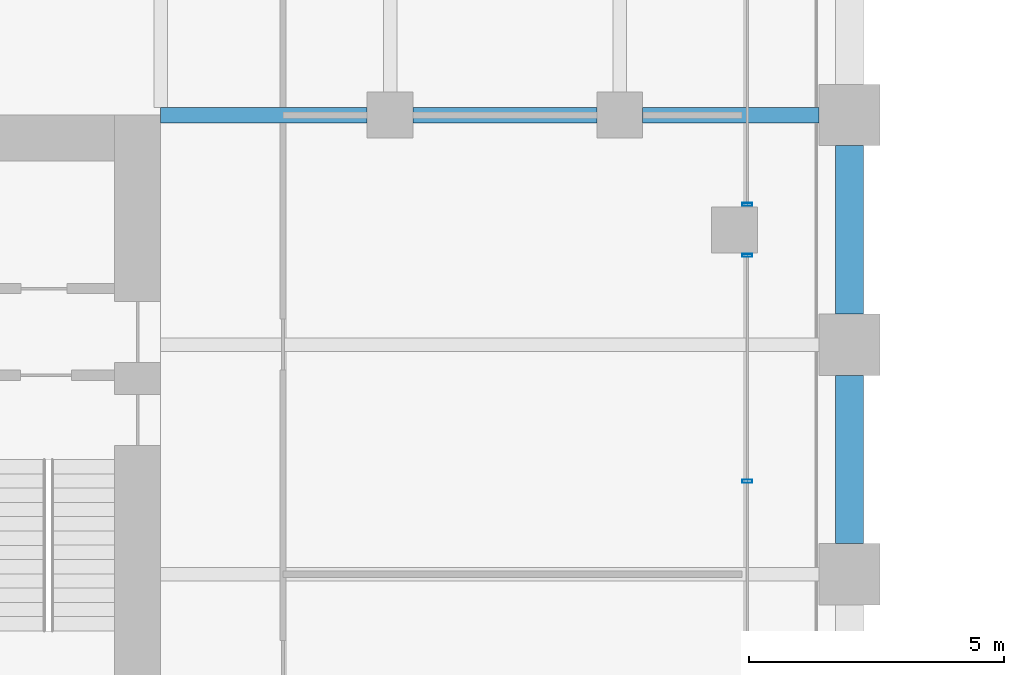
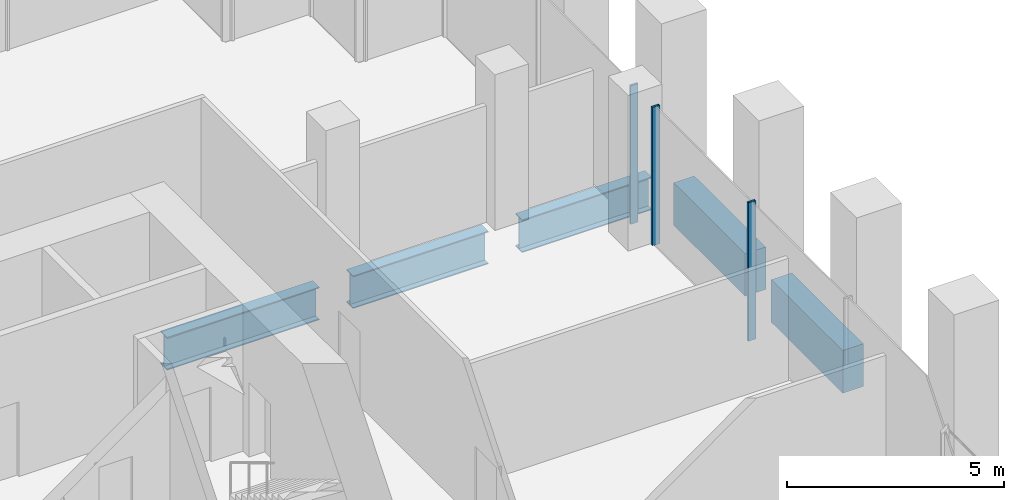
# One storey, part 12 of 36: 5 beams, 3 members, 2 elements without a shape of their own.
"""IFC4 building model written with IfcOpenShell, lengths in metres."""

from ifc_helpers import new_model, si_unit, direction, frame, origin, origin_2d, place, context, subcontext, project, spatial, rectangle, hollow_rectangle, i_section, extrude, material, material_profile, profile_set, type_object, element, aggregate, save


model = new_model("IFC4")

# Units and contexts
model_context = context("Model", 3, precision=1e-05, world=origin(), true_north=direction((0.0, 1.0)))
body_context = subcontext(model_context, "Body", "Model", "MODEL_VIEW")
ifc_project = project(units=[si_unit("LENGTHUNIT", "METRE"), si_unit("AREAUNIT", "SQUARE_METRE"), si_unit("VOLUMEUNIT", "CUBIC_METRE"), si_unit("PLANEANGLEUNIT", "RADIAN"), si_unit("MASSUNIT", "GRAM", prefix="KILO")], contexts=[model_context])

# Site, building, storey
site_placement = place(None, origin())
site = spatial("IfcSite", under=ifc_project, at=site_placement, CompositionType="ELEMENT")
building_placement = place(site_placement, origin())
building = spatial("IfcBuilding", under=site, at=building_placement, Name="Altepetl Exchange Towers", CompositionType="ELEMENT")
storey_placement = place(building_placement, frame((0.0, 0.0, 34.199951171875)))
storey = spatial("IfcBuildingStorey", under=building, at=storey_placement, Name="L07", CompositionType="ELEMENT", Elevation=34.199951171875)

# Beams
ifc_material_1 = material(Name="Steel S355", Category="steel")
ifc_material_profile_1 = material_profile(ifc_material_1, i_section(OverallWidth=0.306884765625, OverallDepth=0.923095703125, WebThickness=0.018310546875, FlangeThickness=0.030029296875, at=origin_2d()), Name="W36X182")
ifc_profile_set_1 = profile_set([ifc_material_profile_1], Name="Steel S355")
beam_type_1 = type_object("IfcBeamType", Name="Girder W36X182", PredefinedType="BEAM", material=ifc_profile_set_1)
beam_1_placement = place(storey_placement, frame((58.5, 58.5, -0.636474609375), z_axis=(1.0, 0.0, 0.0), x_axis=(0.0, 1.0, 0.0)))
element("IfcBeam", 1, at=beam_1_placement, inside=storey, type_object=beam_type_1, Name="gd:A:L07:000", PredefinedType="BEAM", context=body_context, shape_type="SweptSolid", body=[
    extrude(i_section(OverallWidth=0.306884765625, OverallDepth=0.923095703125, WebThickness=0.018310546875, FlangeThickness=0.030029296875, at=origin_2d()), origin(), (0.0, 0.0, 1.0), 4.050048828125),
])
beam_2_placement = place(storey_placement, frame((63.449951171875, 58.5, -0.636474609375), z_axis=(1.0, 0.0, 0.0), x_axis=(0.0, 1.0, 0.0)))
element("IfcBeam", 2, at=beam_2_placement, inside=storey, type_object=beam_type_1, Name="gd:A:L07:001", PredefinedType="BEAM", context=body_context, shape_type="SweptSolid", body=[
    extrude(i_section(OverallWidth=0.306884765625, OverallDepth=0.923095703125, WebThickness=0.018310546875, FlangeThickness=0.030029296875, at=origin_2d()), origin(), (0.0, 0.0, 1.0), 3.60009765625),
])
beam_3_placement = place(storey_placement, frame((67.949951171875, 58.5, -0.636474609375), z_axis=(1.0, 0.0, 0.0), x_axis=(0.0, 1.0, 0.0)))
element("IfcBeam", 3, at=beam_3_placement, inside=storey, type_object=beam_type_1, Name="gd:A:L07:002", PredefinedType="BEAM", context=body_context, shape_type="SweptSolid", body=[
    extrude(i_section(OverallWidth=0.306884765625, OverallDepth=0.923095703125, WebThickness=0.018310546875, FlangeThickness=0.030029296875, at=origin_2d()), origin(), (0.0, 0.0, 1.0), 3.449951171875),
])

# Curtain wall, members
ifc_material_2 = material(Name="Aluminium 6063-T6 glazing", Category="aluminium")
curtain_wall_type = type_object("IfcCurtainWallType", Name="Trading floor glazing system", PredefinedType="NOTDEFINED", material=ifc_material_2)
curtain_wall_1_placement = place(storey_placement, origin())
curtain_wall_1 = element("IfcCurtainWall", 4, at=curtain_wall_1_placement, inside=storey, type_object=curtain_wall_type, Name="CW2 run", PredefinedType="NOTDEFINED")
ifc_material_3 = material(Name="Aluminium 6063-T6", Category="aluminium")
ifc_material_profile_2 = material_profile(ifc_material_3, hollow_rectangle(XDim=0.06005859375, YDim=0.199951171875, WallThickness=0.0029296875, at=origin_2d()), Name="Mullion 60x200 aluminium")
ifc_profile_set_2 = profile_set([ifc_material_profile_2], Name="Aluminium 6063-T6")
member_type = type_object("IfcMemberType", Name="Mullion 60x200 aluminium", PredefinedType="MULLION", material=ifc_profile_set_2)
member_1_placement = place(storey_placement, frame((70.0, 51.323974609375, 0.0), z_axis=(0.0, 0.0, 1.0), x_axis=(0.0, 1.0, 0.0)))
member_1 = element("IfcMember", 5, at=member_1_placement, type_object=member_type, Name="MU2 mullion", PredefinedType="MULLION", context=body_context, shape_type="SweptSolid", body=[
    extrude(hollow_rectangle(XDim=0.06005859375, YDim=0.199951171875, WallThickness=0.0029296875, at=origin_2d()), origin(), (0.0, 0.0, 1.0), 3.900146484375),
])
member_2_placement = place(storey_placement, frame((70.0, 55.75, 0.0), z_axis=(0.0, 0.0, 1.0), x_axis=(0.0, 1.0, 0.0)))
member_2 = element("IfcMember", 6, at=member_2_placement, type_object=member_type, Name="MU2 mullion", PredefinedType="MULLION", context=body_context, shape_type="SweptSolid", body=[
    extrude(hollow_rectangle(XDim=0.06005859375, YDim=0.199951171875, WallThickness=0.0029296875, at=origin_2d()), origin(), (0.0, 0.0, 1.0), 3.900146484375),
])
aggregate(curtain_wall_1, [member_1, member_2])

# Curtain wall, member
curtain_wall_2_placement = place(storey_placement, origin())
curtain_wall_2 = element("IfcCurtainWall", 7, at=curtain_wall_2_placement, inside=storey, type_object=curtain_wall_type, Name="CW2 run", PredefinedType="NOTDEFINED")
member_3_placement = place(storey_placement, frame((70.0, 56.75, 0.0), z_axis=(0.0, 0.0, 1.0), x_axis=(0.0, 1.0, 0.0)))
member_3 = element("IfcMember", 8, at=member_3_placement, type_object=member_type, Name="MU2 mullion", PredefinedType="MULLION", context=body_context, shape_type="SweptSolid", body=[
    extrude(hollow_rectangle(XDim=0.06005859375, YDim=0.199951171875, WallThickness=0.0029296875, at=origin_2d()), origin(), (0.0, 0.0, 1.0), 3.900146484375),
])
aggregate(curtain_wall_2, [member_3])

# Beams
ifc_material_4 = material(Name="Concrete C50/60 precast with cantera amarilla facing", Category="concrete")
ifc_material_profile_3 = material_profile(ifc_material_4, rectangle(XDim=0.550048828125, YDim=1.199951171875, at=origin_2d()), Name="550 x 1200")
ifc_profile_set_3 = profile_set([ifc_material_profile_3], Name="Concrete C50/60 precast with cantera amarilla facing")
beam_type_2 = type_object("IfcBeamType", Name="Spandrel beam 550x1200 cantera amarilla", PredefinedType="SPANDREL", material=ifc_profile_set_3)
for number, where, z_axis, x_axis, name in (
    (9, (72.0, 50.10009765625, -0.77490234375), (0.0, 1.0, 0.0), (-1.0, 0.0, 0.0), "sp:A:L07:016"),
    (10, (72.0, 54.60009765625, -0.77490234375), (0.0, 1.0, 0.0), (-1.0, 0.0, 0.0), "sp:A:L07:017"),
):
    element("IfcBeam", number, at=place(storey_placement, frame(where, z_axis=z_axis, x_axis=x_axis)), inside=storey, type_object=beam_type_2, Name=name, PredefinedType="SPANDREL", context=body_context, shape_type="SweptSolid", body=[
        extrude(rectangle(XDim=0.550048828125, YDim=1.199951171875, at=origin_2d()), origin(), (0.0, 0.0, 1.0), 3.2998046875),
    ])

save(model, "model.ifc")
